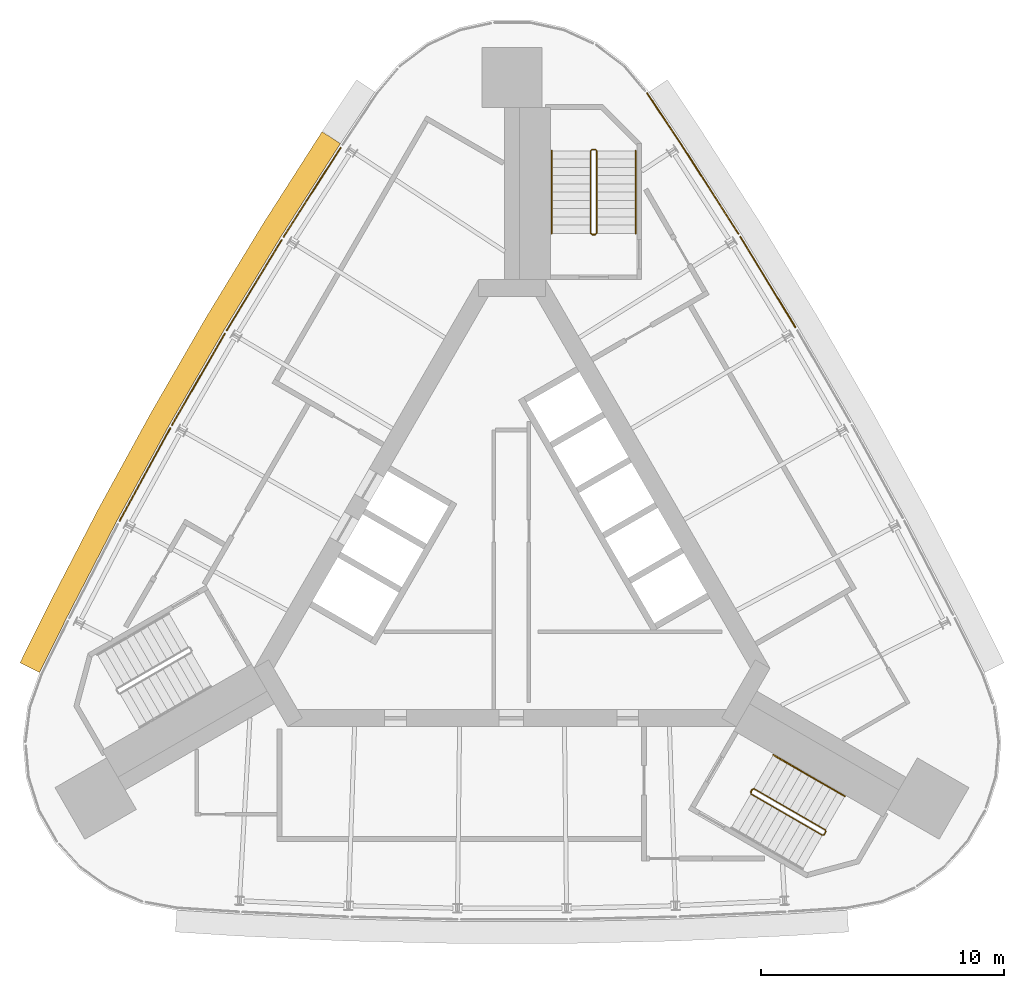
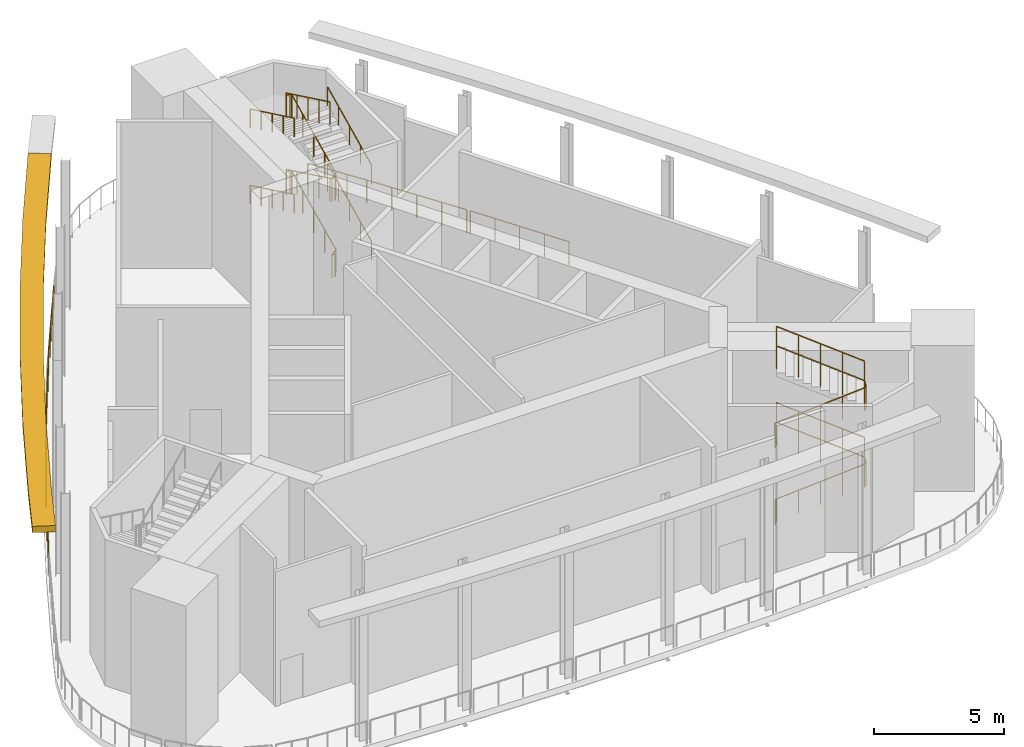
# One storey, part 6 of 7: 14 railings, 1 shading device.
"""IFC4 building model written with IfcOpenShell, lengths in metres."""

from ifc_helpers import new_model, si_unit, direction, frame, origin, origin_2d, place, context, subcontext, project, spatial, polyline, circle, outline, extrude, material, type_object, element, save


model = new_model("IFC4")

# Units and contexts
model_context = context("Model", 3, precision=1e-05, world=origin(), true_north=direction((0.0, 1.0)))
body_context = subcontext(model_context, "Body", "Model", "MODEL_VIEW")
ifc_project = project(units=[si_unit("LENGTHUNIT", "METRE"), si_unit("AREAUNIT", "SQUARE_METRE"), si_unit("VOLUMEUNIT", "CUBIC_METRE"), si_unit("PLANEANGLEUNIT", "RADIAN"), si_unit("MASSUNIT", "GRAM", prefix="KILO")], contexts=[model_context])

# Site, building, storey
site_placement = place(None, origin())
site = spatial("IfcSite", under=ifc_project, at=site_placement, CompositionType="ELEMENT")
building_placement = place(site_placement, origin())
building = spatial("IfcBuilding", under=site, at=building_placement, Name="Noor Cloister Tower", CompositionType="ELEMENT")
storey_placement = place(building_placement, frame((0.0, 0.0, 250.800048828125)))
storey = spatial("IfcBuildingStorey", under=building, at=storey_placement, Name="L65", CompositionType="ELEMENT", Elevation=250.800048828125)

# Shading device
ifc_material_1 = material(Name="Limestone", Category="masonry")
shading_device_type = type_object("IfcShadingDeviceType", Name="SUNSHADE limestone band 900", PredefinedType="USERDEFINED", material=ifc_material_1)
shading_device_placement = place(storey_placement, frame((0.0, 0.0, 6.89990234375)))
element("IfcShadingDevice", 1, at=shading_device_placement, inside=storey, type_object=shading_device_type, Name="SUNSHADE L65 1", ObjectType="SUNSHADE", PredefinedType="USERDEFINED", context=body_context, shape_type="SweptSolid", body=[
    extrude(outline(polyline([(-7.815185546875, 17.54296875), (-10.246826171875, 13.744384765625), (-12.596435546875, 9.88232421875), (-14.856689453125, 5.967529296875), (-17.026611328125, 2.001953125), (-19.10400390625, -2.010498046875), (-20.2392578125, -4.30322265625), (-19.4326171875, -4.702392578125), (-18.301025390625, -2.417236328125), (-16.232177734375, 1.578857421875), (-14.072021484375, 5.5263671875), (-11.822021484375, 9.423583984375), (-9.4833984375, 13.267822265625), (-7.05712890625, 17.0576171875), (-7.815185546875, 17.54296875)])), origin(), (0.0, 0.0, 1.0), 0.300048828125),
])

# Railings
ifc_material_2 = material(Name="Stainless steel", Category="steel")
railing_type_1 = type_object("IfcRailingType", Name="Stair guard 1100", PredefinedType="GUARDRAIL", material=ifc_material_2)
railing_1_placement = place(storey_placement, frame((3.435546875, 13.306396484375, 0.0)))
element("IfcRailing", 2, at=railing_1_placement, inside=storey, type_object=railing_type_1, Name="Stair guard ST1 L65", PredefinedType="GUARDRAIL", context=body_context, shape_type="SweptSolid", body=[
    extrude(circle(Radius=0.02392578125, at=origin_2d()), frame((0.0, 0.0, 1.076171875), z_axis=(-1.0, 0.0, 0.0), x_axis=(0.0, -1.0, 0.0)), (0.0, 0.0, 1.0), 0.14990234375),
    extrude(circle(Radius=0.02392578125, at=origin_2d()), frame((-0.14990234375, 0.0, 1.076171875), z_axis=(0.759870394187, 0.190199549216, 0.621627795), x_axis=(-0.242814311512, 0.970072785993, 0.0)), (0.0, 0.0, 1.0), 0.26318359375),
    extrude(circle(Radius=0.02392578125, at=origin_2d()), frame((0.050048828125, 0.050048828125, 1.23974609375), z_axis=(0.0, 0.901055053782, 0.433704726806), x_axis=(-1.0, 0.0, 0.0)), (0.0, 0.0, 1.0), 3.773193359375),
    extrude(circle(Radius=0.02392578125, at=origin_2d()), frame((0.050048828125, 3.449951171875, 2.8759765625), z_axis=(-0.707106781187, 0.707106781187, 0.0), x_axis=(-0.707106781187, -0.707106781187, 0.0)), (0.0, 0.0, 1.0), 0.07080078125),
    extrude(circle(Radius=0.02392578125, at=origin_2d()), frame((0.0, 3.5, 2.8759765625), z_axis=(-1.0, 0.0, 0.0), x_axis=(0.0, -1.0, 0.0)), (0.0, 0.0, 1.0), 0.14990234375),
    extrude(circle(Radius=0.02392578125, at=origin_2d()), frame((-0.14990234375, 3.5, 2.8759765625), z_axis=(-0.280808744504, -0.280808744504, 0.917765164963), x_axis=(0.707106781187, -0.707106781187, 0.0)), (0.0, 0.0, 1.0), 0.17822265625),
    extrude(circle(Radius=0.02392578125, at=origin_2d()), frame((-0.199951171875, 3.449951171875, 3.03955078125), z_axis=(0.0, -0.901080338394, 0.433652192153), x_axis=(1.0, 0.0, 0.0)), (0.0, 0.0, 1.0), 3.773193359375),
    extrude(circle(Radius=0.02392578125, at=origin_2d()), frame((-0.199951171875, 0.050048828125, 4.67578125), z_axis=(0.970072785993, -0.242814311512, 0.0), x_axis=(0.242814311512, 0.970072785993, 0.0)), (0.0, 0.0, 1.0), 0.2060546875),
    extrude(circle(Radius=0.02392578125, at=origin_2d()), frame((0.0, 0.0, 4.67578125), z_axis=(-1.0, 0.0, 0.0), x_axis=(0.0, -1.0, 0.0)), (0.0, 0.0, 1.0), 0.14990234375),
    extrude(circle(Radius=0.02392578125, at=origin_2d()), frame((-0.14990234375, 0.0, 4.67578125), z_axis=(0.759432192796, 0.190089865108, 0.622196582865), x_axis=(-0.242814311512, 0.970072785993, 0.0)), (0.0, 0.0, 1.0), 0.26318359375),
    extrude(circle(Radius=0.02392578125, at=origin_2d()), frame((0.050048828125, 0.050048828125, 4.83984375), z_axis=(0.0, 0.901080338394, 0.433652192153), x_axis=(-1.0, 0.0, 0.0)), (0.0, 0.0, 1.0), 3.773193359375),
    extrude(circle(Radius=0.02392578125, at=origin_2d()), frame((0.050048828125, 3.449951171875, 6.47607421875), z_axis=(-0.707106781187, 0.707106781187, 0.0), x_axis=(-0.707106781187, -0.707106781187, 0.0)), (0.0, 0.0, 1.0), 0.07080078125),
    extrude(circle(Radius=0.02392578125, at=origin_2d()), frame((0.0, 3.5, 6.47607421875), z_axis=(-1.0, 0.0, 0.0), x_axis=(0.0, -1.0, 0.0)), (0.0, 0.0, 1.0), 0.14990234375),
    extrude(circle(Radius=0.02392578125, at=origin_2d()), frame((-0.14990234375, 3.5, 6.47607421875), z_axis=(-0.280808744504, -0.280808744504, 0.917765164963), x_axis=(0.707106781187, -0.707106781187, 0.0)), (0.0, 0.0, 1.0), 0.17822265625),
    extrude(circle(Radius=0.02392578125, at=origin_2d()), frame((-0.199951171875, 3.449951171875, 6.6396484375), z_axis=(0.0, -0.901055053782, 0.433704726806), x_axis=(1.0, 0.0, 0.0)), (0.0, 0.0, 1.0), 3.773193359375),
    extrude(circle(Radius=0.02099609375, at=origin_2d()), origin(), (0.0, 0.0, 1.0), 1.052001953125),
    extrude(circle(Radius=0.02099609375, at=origin_2d()), frame((-0.14990234375, 0.0, 0.0)), (0.0, 0.0, 1.0), 1.052001953125),
    extrude(circle(Radius=0.02099609375, at=origin_2d()), frame((0.050048828125, 0.050048828125, 0.16357421875)), (0.0, 0.0, 1.0), 1.052001953125),
    extrude(circle(Radius=0.02099609375, at=origin_2d()), frame((0.050048828125, 0.89990234375, 0.57275390625)), (0.0, 0.0, 1.0), 1.052001953125),
    extrude(circle(Radius=0.02099609375, at=origin_2d()), frame((0.050048828125, 1.75, 0.98193359375)), (0.0, 0.0, 1.0), 1.052001953125),
    extrude(circle(Radius=0.02099609375, at=origin_2d()), frame((0.050048828125, 2.60009765625, 1.390869140625)), (0.0, 0.0, 1.0), 1.052001953125),
    extrude(circle(Radius=0.02099609375, at=origin_2d()), frame((0.050048828125, 3.449951171875, 1.800048828125)), (0.0, 0.0, 1.0), 1.052001953125),
    extrude(circle(Radius=0.02099609375, at=origin_2d()), frame((0.0, 3.5, 1.800048828125)), (0.0, 0.0, 1.0), 1.052001953125),
    extrude(circle(Radius=0.02099609375, at=origin_2d()), frame((-0.14990234375, 3.5, 1.800048828125)), (0.0, 0.0, 1.0), 1.052001953125),
    extrude(circle(Radius=0.02099609375, at=origin_2d()), frame((-0.199951171875, 3.449951171875, 1.963623046875)), (0.0, 0.0, 1.0), 1.052001953125),
    extrude(circle(Radius=0.02099609375, at=origin_2d()), frame((-0.199951171875, 2.60009765625, 2.37255859375)), (0.0, 0.0, 1.0), 1.052001953125),
    extrude(circle(Radius=0.02099609375, at=origin_2d()), frame((-0.199951171875, 1.75, 2.78173828125)), (0.0, 0.0, 1.0), 1.052001953125),
    extrude(circle(Radius=0.02099609375, at=origin_2d()), frame((-0.199951171875, 0.89990234375, 3.19091796875)), (0.0, 0.0, 1.0), 1.052001953125),
    extrude(circle(Radius=0.02099609375, at=origin_2d()), frame((-0.199951171875, 0.050048828125, 3.599853515625)), (0.0, 0.0, 1.0), 1.052001953125),
    extrude(circle(Radius=0.02099609375, at=origin_2d()), frame((0.0, 0.0, 3.599853515625)), (0.0, 0.0, 1.0), 1.052001953125),
    extrude(circle(Radius=0.02099609375, at=origin_2d()), frame((-0.14990234375, 0.0, 3.599853515625)), (0.0, 0.0, 1.0), 1.052001953125),
    extrude(circle(Radius=0.02099609375, at=origin_2d()), frame((0.050048828125, 0.050048828125, 3.763671875)), (0.0, 0.0, 1.0), 1.052001953125),
    extrude(circle(Radius=0.02099609375, at=origin_2d()), frame((0.050048828125, 0.89990234375, 4.1728515625)), (0.0, 0.0, 1.0), 1.052001953125),
    extrude(circle(Radius=0.02099609375, at=origin_2d()), frame((0.050048828125, 1.75, 4.581787109375)), (0.0, 0.0, 1.0), 1.052001953125),
    extrude(circle(Radius=0.02099609375, at=origin_2d()), frame((0.050048828125, 2.60009765625, 4.99072265625)), (0.0, 0.0, 1.0), 1.052001953125),
    extrude(circle(Radius=0.02099609375, at=origin_2d()), frame((0.050048828125, 3.449951171875, 5.39990234375)), (0.0, 0.0, 1.0), 1.052001953125),
    extrude(circle(Radius=0.02099609375, at=origin_2d()), frame((0.0, 3.5, 5.39990234375)), (0.0, 0.0, 1.0), 1.052001953125),
    extrude(circle(Radius=0.02099609375, at=origin_2d()), frame((-0.14990234375, 3.5, 5.39990234375)), (0.0, 0.0, 1.0), 1.052001953125),
    extrude(circle(Radius=0.02099609375, at=origin_2d()), frame((-0.199951171875, 3.449951171875, 5.5634765625)), (0.0, 0.0, 1.0), 1.052001953125),
    extrude(circle(Radius=0.02099609375, at=origin_2d()), frame((-0.199951171875, 2.60009765625, 5.97265625)), (0.0, 0.0, 1.0), 1.052001953125),
    extrude(circle(Radius=0.02099609375, at=origin_2d()), frame((-0.199951171875, 1.75, 6.3818359375)), (0.0, 0.0, 1.0), 1.052001953125),
    extrude(circle(Radius=0.02099609375, at=origin_2d()), frame((-0.199951171875, 0.89990234375, 6.790771484375)), (0.0, 0.0, 1.0), 1.052001953125),
    extrude(circle(Radius=0.02099609375, at=origin_2d()), frame((-0.199951171875, 0.050048828125, 7.199951171875)), (0.0, 0.0, 1.0), 1.052001953125),
])
railing_2_placement = place(storey_placement, frame((9.805908203125, -9.628662109375, 0.0)))
element("IfcRailing", 3, at=railing_2_placement, inside=storey, type_object=railing_type_1, Name="Stair guard ST3 L65", PredefinedType="GUARDRAIL", context=body_context, shape_type="SweptSolid", body=[
    extrude(circle(Radius=0.02392578125, at=origin_2d()), frame((0.0, 0.0, 1.076171875), z_axis=(0.499112439033, 0.866537231285, 0.0), x_axis=(-0.866537231285, 0.499112439033, 0.0)), (0.0, 0.0, 1.0), 0.150146484375),
    extrude(circle(Radius=0.02392578125, at=origin_2d()), frame((0.074951171875, 0.130126953125, 1.076171875), z_axis=(-0.215214839654, -0.753251938789, 0.621525614518), x_axis=(0.961523947641, -0.274721127897, 0.0)), (0.0, 0.0, 1.0), 0.26318359375),
    extrude(circle(Radius=0.02392578125, at=origin_2d()), frame((0.018310546875, -0.068115234375, 1.23974609375), z_axis=(0.7803069921, -0.450585231591, 0.433697990717), x_axis=(0.500062241894, 0.865989465428, 0.0)), (0.0, 0.0, 1.0), 3.773193359375),
    extrude(circle(Radius=0.02392578125, at=origin_2d()), frame((2.962646484375, -1.768310546875, 2.8759765625), z_axis=(0.965948051503, 0.258736085224, 0.0), x_axis=(-0.258736085224, 0.965948051503, 0.0)), (0.0, 0.0, 1.0), 0.07080078125),
    extrude(circle(Radius=0.02392578125, at=origin_2d()), frame((3.031005859375, -1.75, 2.8759765625), z_axis=(0.499112439033, 0.866537231285, 0.0), x_axis=(-0.866537231285, 0.499112439033, 0.0)), (0.0, 0.0, 1.0), 0.150146484375),
    extrude(circle(Radius=0.02392578125, at=origin_2d()), frame((3.10595703125, -1.619873046875, 2.8759765625), z_axis=(-0.102791240646, 0.382383415203, 0.918268416436), x_axis=(-0.965715946433, -0.259601060869, 0.0)), (0.0, 0.0, 1.0), 0.17822265625),
    extrude(circle(Radius=0.02392578125, at=origin_2d()), frame((3.087646484375, -1.5517578125, 3.03955078125), z_axis=(-0.780351637896, 0.450546306357, 0.433658099268), x_axis=(-0.500008388397, -0.866020560687, 0.0)), (0.0, 0.0, 1.0), 3.773193359375),
    extrude(circle(Radius=0.02392578125, at=origin_2d()), frame((0.143310546875, 0.148193359375, 4.67578125), z_axis=(-0.695164929852, -0.718850276695, 0.0), x_axis=(0.718850276695, -0.695164929852, 0.0)), (0.0, 0.0, 1.0), 0.2060546875),
    extrude(circle(Radius=0.02392578125, at=origin_2d()), frame((0.0, 0.0, 4.67578125), z_axis=(0.499112439033, 0.866537231285, 0.0), x_axis=(-0.866537231285, 0.499112439033, 0.0)), (0.0, 0.0, 1.0), 0.150146484375),
    extrude(circle(Radius=0.02392578125, at=origin_2d()), frame((0.074951171875, 0.130126953125, 4.67578125), z_axis=(-0.215090770512, -0.752817696793, 0.622094426784), x_axis=(0.961523947641, -0.274721127897, 0.0)), (0.0, 0.0, 1.0), 0.263427734375),
    extrude(circle(Radius=0.02392578125, at=origin_2d()), frame((0.018310546875, -0.068115234375, 4.83984375), z_axis=(0.780328887707, -0.450597875124, 0.433645456502), x_axis=(0.500062241894, 0.865989465428, 0.0)), (0.0, 0.0, 1.0), 3.773193359375),
    extrude(circle(Radius=0.02392578125, at=origin_2d()), frame((2.962646484375, -1.768310546875, 6.47607421875), z_axis=(0.965948051503, 0.258736085224, 0.0), x_axis=(-0.258736085224, 0.965948051503, 0.0)), (0.0, 0.0, 1.0), 0.07080078125),
    extrude(circle(Radius=0.02392578125, at=origin_2d()), frame((3.031005859375, -1.75, 6.47607421875), z_axis=(0.499112439033, 0.866537231285, 0.0), x_axis=(-0.866537231285, 0.499112439033, 0.0)), (0.0, 0.0, 1.0), 0.150146484375),
    extrude(circle(Radius=0.02392578125, at=origin_2d()), frame((3.10595703125, -1.619873046875, 6.47607421875), z_axis=(-0.102791240646, 0.382383415203, 0.918268416436), x_axis=(-0.965715946433, -0.259601060869, 0.0)), (0.0, 0.0, 1.0), 0.17822265625),
    extrude(circle(Radius=0.02392578125, at=origin_2d()), frame((3.087646484375, -1.5517578125, 6.6396484375), z_axis=(-0.780329740374, 0.450533663534, 0.433710634306), x_axis=(-0.500008388397, -0.866020560687, 0.0)), (0.0, 0.0, 1.0), 3.773193359375),
    extrude(circle(Radius=0.02099609375, at=origin_2d()), origin(), (0.0, 0.0, 1.0), 1.052001953125),
    extrude(circle(Radius=0.02099609375, at=origin_2d()), frame((0.074951171875, 0.130126953125, 0.0)), (0.0, 0.0, 1.0), 1.052001953125),
    extrude(circle(Radius=0.02099609375, at=origin_2d()), frame((0.018310546875, -0.068115234375, 0.16357421875)), (0.0, 0.0, 1.0), 1.052001953125),
    extrude(circle(Radius=0.02099609375, at=origin_2d()), frame((0.75439453125, -0.4931640625, 0.57275390625)), (0.0, 0.0, 1.0), 1.052001953125),
    extrude(circle(Radius=0.02099609375, at=origin_2d()), frame((1.490478515625, -0.918212890625, 0.98193359375)), (0.0, 0.0, 1.0), 1.052001953125),
    extrude(circle(Radius=0.02099609375, at=origin_2d()), frame((2.2265625, -1.34326171875, 1.390869140625)), (0.0, 0.0, 1.0), 1.052001953125),
    extrude(circle(Radius=0.02099609375, at=origin_2d()), frame((2.962646484375, -1.768310546875, 1.800048828125)), (0.0, 0.0, 1.0), 1.052001953125),
    extrude(circle(Radius=0.02099609375, at=origin_2d()), frame((3.031005859375, -1.75, 1.800048828125)), (0.0, 0.0, 1.0), 1.052001953125),
    extrude(circle(Radius=0.02099609375, at=origin_2d()), frame((3.10595703125, -1.619873046875, 1.800048828125)), (0.0, 0.0, 1.0), 1.052001953125),
    extrude(circle(Radius=0.02099609375, at=origin_2d()), frame((3.087646484375, -1.5517578125, 1.963623046875)), (0.0, 0.0, 1.0), 1.052001953125),
    extrude(circle(Radius=0.02099609375, at=origin_2d()), frame((2.3515625, -1.126708984375, 2.37255859375)), (0.0, 0.0, 1.0), 1.052001953125),
    extrude(circle(Radius=0.02099609375, at=origin_2d()), frame((1.615478515625, -0.70166015625, 2.78173828125)), (0.0, 0.0, 1.0), 1.052001953125),
    extrude(circle(Radius=0.02099609375, at=origin_2d()), frame((0.87939453125, -0.27685546875, 3.19091796875)), (0.0, 0.0, 1.0), 1.052001953125),
    extrude(circle(Radius=0.02099609375, at=origin_2d()), frame((0.143310546875, 0.148193359375, 3.599853515625)), (0.0, 0.0, 1.0), 1.052001953125),
    extrude(circle(Radius=0.02099609375, at=origin_2d()), frame((0.0, 0.0, 3.599853515625)), (0.0, 0.0, 1.0), 1.052001953125),
    extrude(circle(Radius=0.02099609375, at=origin_2d()), frame((0.074951171875, 0.130126953125, 3.599853515625)), (0.0, 0.0, 1.0), 1.052001953125),
    extrude(circle(Radius=0.02099609375, at=origin_2d()), frame((0.018310546875, -0.068115234375, 3.763671875)), (0.0, 0.0, 1.0), 1.052001953125),
    extrude(circle(Radius=0.02099609375, at=origin_2d()), frame((0.75439453125, -0.4931640625, 4.1728515625)), (0.0, 0.0, 1.0), 1.052001953125),
    extrude(circle(Radius=0.02099609375, at=origin_2d()), frame((1.490478515625, -0.918212890625, 4.581787109375)), (0.0, 0.0, 1.0), 1.052001953125),
    extrude(circle(Radius=0.02099609375, at=origin_2d()), frame((2.2265625, -1.34326171875, 4.99072265625)), (0.0, 0.0, 1.0), 1.052001953125),
    extrude(circle(Radius=0.02099609375, at=origin_2d()), frame((2.962646484375, -1.768310546875, 5.39990234375)), (0.0, 0.0, 1.0), 1.052001953125),
    extrude(circle(Radius=0.02099609375, at=origin_2d()), frame((3.031005859375, -1.75, 5.39990234375)), (0.0, 0.0, 1.0), 1.052001953125),
    extrude(circle(Radius=0.02099609375, at=origin_2d()), frame((3.10595703125, -1.619873046875, 5.39990234375)), (0.0, 0.0, 1.0), 1.052001953125),
    extrude(circle(Radius=0.02099609375, at=origin_2d()), frame((3.087646484375, -1.5517578125, 5.5634765625)), (0.0, 0.0, 1.0), 1.052001953125),
    extrude(circle(Radius=0.02099609375, at=origin_2d()), frame((2.3515625, -1.126708984375, 5.97265625)), (0.0, 0.0, 1.0), 1.052001953125),
    extrude(circle(Radius=0.02099609375, at=origin_2d()), frame((1.615478515625, -0.70166015625, 6.3818359375)), (0.0, 0.0, 1.0), 1.052001953125),
    extrude(circle(Radius=0.02099609375, at=origin_2d()), frame((0.87939453125, -0.27685546875, 6.790771484375)), (0.0, 0.0, 1.0), 1.052001953125),
    extrude(circle(Radius=0.02099609375, at=origin_2d()), frame((0.143310546875, 0.148193359375, 7.199951171875)), (0.0, 0.0, 1.0), 1.052001953125),
])
ifc_material_3 = material(Name="Stainless steel", Category="steel")
railing_type_2 = type_object("IfcRailingType", Name="Stair handrail 900", PredefinedType="HANDRAIL", material=ifc_material_3)
railing_3_placement = place(storey_placement, frame((5.085693359375, 13.3564453125, 0.16357421875)))
element("IfcRailing", 4, at=railing_3_placement, inside=storey, type_object=railing_type_2, Name="Stair handrail ST1 L65 1", PredefinedType="HANDRAIL", context=body_context, shape_type="SweptSolid", body=[
    extrude(circle(Radius=0.02392578125, at=origin_2d()), frame((0.0, 0.0, 0.8759765625), z_axis=(0.0, 0.901055053782, 0.433704726806), x_axis=(-1.0, 0.0, 0.0)), (0.0, 0.0, 1.0), 3.773193359375),
    extrude(circle(Radius=0.02099609375, at=origin_2d()), origin(), (0.0, 0.0, 1.0), 0.851806640625),
    extrude(circle(Radius=0.02099609375, at=origin_2d()), frame((0.0, 0.85009765625, 0.4091796875)), (0.0, 0.0, 1.0), 0.851806640625),
    extrude(circle(Radius=0.02099609375, at=origin_2d()), frame((0.0, 1.699951171875, 0.818359375)), (0.0, 0.0, 1.0), 0.851806640625),
    extrude(circle(Radius=0.02099609375, at=origin_2d()), frame((0.0, 2.5498046875, 1.227294921875)), (0.0, 0.0, 1.0), 0.851806640625),
    extrude(circle(Radius=0.02099609375, at=origin_2d()), frame((0.0, 3.39990234375, 1.636474609375)), (0.0, 0.0, 1.0), 0.851806640625),
])
railing_4_placement = place(storey_placement, frame((1.6357421875, 16.75634765625, 1.963623046875)))
element("IfcRailing", 5, at=railing_4_placement, inside=storey, type_object=railing_type_2, Name="Stair handrail ST1 L65 2", PredefinedType="HANDRAIL", context=body_context, shape_type="SweptSolid", body=[
    extrude(circle(Radius=0.02392578125, at=origin_2d()), frame((0.0, 0.0, 0.8759765625), z_axis=(0.0, -0.901080338394, 0.433652192153), x_axis=(1.0, 0.0, 0.0)), (0.0, 0.0, 1.0), 3.773193359375),
    extrude(circle(Radius=0.02099609375, at=origin_2d()), origin(), (0.0, 0.0, 1.0), 0.851806640625),
    extrude(circle(Radius=0.02099609375, at=origin_2d()), frame((0.0, -0.85009765625, 0.4091796875)), (0.0, 0.0, 1.0), 0.851806640625),
    extrude(circle(Radius=0.02099609375, at=origin_2d()), frame((0.0, -1.699951171875, 0.818115234375)), (0.0, 0.0, 1.0), 0.851806640625),
    extrude(circle(Radius=0.02099609375, at=origin_2d()), frame((0.0, -2.5498046875, 1.22705078125)), (0.0, 0.0, 1.0), 0.851806640625),
    extrude(circle(Radius=0.02099609375, at=origin_2d()), frame((0.0, -3.39990234375, 1.63623046875)), (0.0, 0.0, 1.0), 0.851806640625),
])
railing_5_placement = place(storey_placement, frame((5.085693359375, 13.3564453125, 3.763671875)))
element("IfcRailing", 6, at=railing_5_placement, inside=storey, type_object=railing_type_2, Name="Stair handrail ST1 L65 3", PredefinedType="HANDRAIL", context=body_context, shape_type="SweptSolid", body=[
    extrude(circle(Radius=0.02392578125, at=origin_2d()), frame((0.0, 0.0, 0.8759765625), z_axis=(0.0, 0.901080338394, 0.433652192153), x_axis=(-1.0, 0.0, 0.0)), (0.0, 0.0, 1.0), 3.773193359375),
    extrude(circle(Radius=0.02099609375, at=origin_2d()), origin(), (0.0, 0.0, 1.0), 0.851806640625),
    extrude(circle(Radius=0.02099609375, at=origin_2d()), frame((0.0, 0.85009765625, 0.4091796875)), (0.0, 0.0, 1.0), 0.851806640625),
    extrude(circle(Radius=0.02099609375, at=origin_2d()), frame((0.0, 1.699951171875, 0.818115234375)), (0.0, 0.0, 1.0), 0.851806640625),
    extrude(circle(Radius=0.02099609375, at=origin_2d()), frame((0.0, 2.5498046875, 1.22705078125)), (0.0, 0.0, 1.0), 0.851806640625),
    extrude(circle(Radius=0.02099609375, at=origin_2d()), frame((0.0, 3.39990234375, 1.63623046875)), (0.0, 0.0, 1.0), 0.851806640625),
])
railing_6_placement = place(storey_placement, frame((1.6357421875, 16.75634765625, 5.5634765625)))
element("IfcRailing", 7, at=railing_6_placement, inside=storey, type_object=railing_type_2, Name="Stair handrail ST1 L65 4", PredefinedType="HANDRAIL", context=body_context, shape_type="SweptSolid", body=[
    extrude(circle(Radius=0.02392578125, at=origin_2d()), frame((0.0, 0.0, 0.8759765625), z_axis=(0.0, -0.901055053782, 0.433704726806), x_axis=(1.0, 0.0, 0.0)), (0.0, 0.0, 1.0), 3.773193359375),
    extrude(circle(Radius=0.02099609375, at=origin_2d()), origin(), (0.0, 0.0, 1.0), 0.851806640625),
    extrude(circle(Radius=0.02099609375, at=origin_2d()), frame((0.0, -0.85009765625, 0.4091796875)), (0.0, 0.0, 1.0), 0.851806640625),
    extrude(circle(Radius=0.02099609375, at=origin_2d()), frame((0.0, -1.699951171875, 0.818359375)), (0.0, 0.0, 1.0), 0.851806640625),
    extrude(circle(Radius=0.02099609375, at=origin_2d()), frame((0.0, -2.5498046875, 1.227294921875)), (0.0, 0.0, 1.0), 0.851806640625),
    extrude(circle(Radius=0.02099609375, at=origin_2d()), frame((0.0, -3.39990234375, 1.636474609375)), (0.0, 0.0, 1.0), 0.851806640625),
])
railing_7_placement = place(storey_placement, frame((13.693603515625, -9.794677734375, 1.963623046875)))
element("IfcRailing", 8, at=railing_7_placement, inside=storey, type_object=railing_type_2, Name="Stair handrail ST3 L65 2", PredefinedType="HANDRAIL", context=body_context, shape_type="SweptSolid", body=[
    extrude(circle(Radius=0.02392578125, at=origin_2d()), frame((0.0, 0.0, 0.8759765625), z_axis=(-0.780351637896, 0.450546306357, 0.433658099268), x_axis=(-0.500008388397, -0.866020560687, 0.0)), (0.0, 0.0, 1.0), 3.773193359375),
    extrude(circle(Radius=0.02099609375, at=origin_2d()), origin(), (0.0, 0.0, 1.0), 0.851806640625),
    extrude(circle(Radius=0.02099609375, at=origin_2d()), frame((-0.736083984375, 0.425048828125, 0.4091796875)), (0.0, 0.0, 1.0), 0.851806640625),
    extrude(circle(Radius=0.02099609375, at=origin_2d()), frame((-1.47216796875, 0.85009765625, 0.818115234375)), (0.0, 0.0, 1.0), 0.851806640625),
    extrude(circle(Radius=0.02099609375, at=origin_2d()), frame((-2.208251953125, 1.27490234375, 1.22705078125)), (0.0, 0.0, 1.0), 0.851806640625),
    extrude(circle(Radius=0.02099609375, at=origin_2d()), frame((-2.9443359375, 1.699951171875, 1.63623046875)), (0.0, 0.0, 1.0), 0.851806640625),
])
railing_8_placement = place(storey_placement, frame((13.693603515625, -9.794677734375, 5.5634765625)))
element("IfcRailing", 9, at=railing_8_placement, inside=storey, type_object=railing_type_2, Name="Stair handrail ST3 L65 4", PredefinedType="HANDRAIL", context=body_context, shape_type="SweptSolid", body=[
    extrude(circle(Radius=0.02392578125, at=origin_2d()), frame((0.0, 0.0, 0.8759765625), z_axis=(-0.780329740374, 0.450533663534, 0.433710634306), x_axis=(-0.500008388397, -0.866020560687, 0.0)), (0.0, 0.0, 1.0), 3.773193359375),
    extrude(circle(Radius=0.02099609375, at=origin_2d()), origin(), (0.0, 0.0, 1.0), 0.851806640625),
    extrude(circle(Radius=0.02099609375, at=origin_2d()), frame((-0.736083984375, 0.425048828125, 0.4091796875)), (0.0, 0.0, 1.0), 0.851806640625),
    extrude(circle(Radius=0.02099609375, at=origin_2d()), frame((-1.47216796875, 0.85009765625, 0.818359375)), (0.0, 0.0, 1.0), 0.851806640625),
    extrude(circle(Radius=0.02099609375, at=origin_2d()), frame((-2.208251953125, 1.27490234375, 1.227294921875)), (0.0, 0.0, 1.0), 0.851806640625),
    extrude(circle(Radius=0.02099609375, at=origin_2d()), frame((-2.9443359375, 1.699951171875, 1.636474609375)), (0.0, 0.0, 1.0), 0.851806640625),
])
ifc_material_4 = material(Name="Stainless steel grade 316", Category="steel")
railing_type_3 = type_object("IfcRailingType", Name="Wind floor guard 1100", PredefinedType="GUARDRAIL", material=ifc_material_4)
railing_9_placement = place(storey_placement, frame((5.563720703125, 19.1201171875, 0.0)))
element("IfcRailing", 10, at=railing_9_placement, inside=storey, type_object=railing_type_3, Name="Wind floor guard L65 1", PredefinedType="GUARDRAIL", context=body_context, shape_type="SweptSolid", body=[
    extrude(circle(Radius=0.02392578125, at=origin_2d()), frame((0.0, 0.0, 1.076171875), z_axis=(0.554257078174, -0.832345535997, 0.0), x_axis=(0.832345535997, 0.554257078174, 0.0)), (0.0, 0.0, 1.0), 2.54345703125),
    extrude(circle(Radius=0.02392578125, at=origin_2d()), frame((1.40966796875, -2.116943359375, 1.076171875), z_axis=(0.539158855248, -0.842204089759, 0.0), x_axis=(0.842204089759, 0.539158855248, 0.0)), (0.0, 0.0, 1.0), 4.347900390625),
    extrude(circle(Radius=0.02099609375, at=origin_2d()), origin(), (0.0, 0.0, 1.0), 1.052001953125),
    extrude(circle(Radius=0.02099609375, at=origin_2d()), frame((0.469970703125, -0.70556640625, 0.0)), (0.0, 0.0, 1.0), 1.052001953125),
    extrude(circle(Radius=0.02099609375, at=origin_2d()), frame((0.939697265625, -1.411376953125, 0.0)), (0.0, 0.0, 1.0), 1.052001953125),
    extrude(circle(Radius=0.02099609375, at=origin_2d()), frame((1.40966796875, -2.116943359375, 0.0)), (0.0, 0.0, 1.0), 1.052001953125),
    extrude(circle(Radius=0.02099609375, at=origin_2d()), frame((1.99560546875, -3.032470703125, 0.0)), (0.0, 0.0, 1.0), 1.052001953125),
    extrude(circle(Radius=0.02099609375, at=origin_2d()), frame((2.581787109375, -3.94775390625, 0.0)), (0.0, 0.0, 1.0), 1.052001953125),
    extrude(circle(Radius=0.02099609375, at=origin_2d()), frame((3.16796875, -4.86328125, 0.0)), (0.0, 0.0, 1.0), 1.052001953125),
    extrude(circle(Radius=0.02099609375, at=origin_2d()), frame((3.75390625, -5.77880859375, 0.0)), (0.0, 0.0, 1.0), 1.052001953125),
])
railing_10_placement = place(storey_placement, frame((9.3984375, 13.215087890625, 0.0)))
element("IfcRailing", 11, at=railing_10_placement, inside=storey, type_object=railing_type_3, Name="Wind floor guard L65 2", PredefinedType="GUARDRAIL", context=body_context, shape_type="SweptSolid", body=[
    extrude(circle(Radius=0.02392578125, at=origin_2d()), frame((0.0, 0.0, 1.076171875), z_axis=(0.519754541033, -0.854315642532, 0.0), x_axis=(0.854315642532, 0.519754541033, 0.0)), (0.0, 0.0, 1.0), 4.34765625),
    extrude(circle(Radius=0.02099609375, at=origin_2d()), origin(), (0.0, 0.0, 1.0), 1.052001953125),
    extrude(circle(Radius=0.02099609375, at=origin_2d()), frame((0.56494140625, -0.9287109375, 0.0)), (0.0, 0.0, 1.0), 1.052001953125),
    extrude(circle(Radius=0.02099609375, at=origin_2d()), frame((1.1298828125, -1.857177734375, 0.0)), (0.0, 0.0, 1.0), 1.052001953125),
    extrude(circle(Radius=0.02099609375, at=origin_2d()), frame((1.69482421875, -2.78564453125, 0.0)), (0.0, 0.0, 1.0), 1.052001953125),
    extrude(circle(Radius=0.02099609375, at=origin_2d()), frame((2.259765625, -3.71435546875, 0.0)), (0.0, 0.0, 1.0), 1.052001953125),
])
railing_11_placement = place(storey_placement, frame((-16.143798828125, 1.531982421875, 0.0)))
element("IfcRailing", 12, at=railing_11_placement, inside=storey, type_object=railing_type_3, Name="Wind floor guard L65 20", PredefinedType="GUARDRAIL", context=body_context, shape_type="SweptSolid", body=[
    extrude(circle(Radius=0.02392578125, at=origin_2d()), frame((0.0, 0.0, 1.076171875), z_axis=(0.480016307824, 0.877259564908, 0.0), x_axis=(-0.877259564908, 0.480016307824, 0.0)), (0.0, 0.0, 1.0), 4.34765625),
    extrude(circle(Radius=0.02099609375, at=origin_2d()), origin(), (0.0, 0.0, 1.0), 1.052001953125),
    extrude(circle(Radius=0.02099609375, at=origin_2d()), frame((0.521728515625, 0.95361328125, 0.0)), (0.0, 0.0, 1.0), 1.052001953125),
    extrude(circle(Radius=0.02099609375, at=origin_2d()), frame((1.04345703125, 1.906982421875, 0.0)), (0.0, 0.0, 1.0), 1.052001953125),
    extrude(circle(Radius=0.02099609375, at=origin_2d()), frame((1.565185546875, 2.8603515625, 0.0)), (0.0, 0.0, 1.0), 1.052001953125),
    extrude(circle(Radius=0.02099609375, at=origin_2d()), frame((2.0869140625, 3.81396484375, 0.0)), (0.0, 0.0, 1.0), 1.052001953125),
])
railing_12_placement = place(storey_placement, frame((-13.98486328125, 5.4775390625, 0.0)))
element("IfcRailing", 13, at=railing_12_placement, inside=storey, type_object=railing_type_3, Name="Wind floor guard L65 21", PredefinedType="GUARDRAIL", context=body_context, shape_type="SweptSolid", body=[
    extrude(circle(Radius=0.02392578125, at=origin_2d()), frame((0.0, 0.0, 1.076171875), z_axis=(0.500004386343, 0.866022871314, 0.0), x_axis=(-0.866022871314, 0.500004386343, 0.0)), (0.0, 0.0, 1.0), 4.34765625),
    extrude(circle(Radius=0.02099609375, at=origin_2d()), origin(), (0.0, 0.0, 1.0), 1.052001953125),
    extrude(circle(Radius=0.02099609375, at=origin_2d()), frame((0.54345703125, 0.94140625, 0.0)), (0.0, 0.0, 1.0), 1.052001953125),
    extrude(circle(Radius=0.02099609375, at=origin_2d()), frame((1.0869140625, 1.882568359375, 0.0)), (0.0, 0.0, 1.0), 1.052001953125),
    extrude(circle(Radius=0.02099609375, at=origin_2d()), frame((1.63037109375, 2.82373046875, 0.0)), (0.0, 0.0, 1.0), 1.052001953125),
    extrude(circle(Radius=0.02099609375, at=origin_2d()), frame((2.173828125, 3.76513671875, 0.0)), (0.0, 0.0, 1.0), 1.052001953125),
])
railing_13_placement = place(storey_placement, frame((-11.736083984375, 9.37255859375, 0.0)))
element("IfcRailing", 14, at=railing_13_placement, inside=storey, type_object=railing_type_3, Name="Wind floor guard L65 22", PredefinedType="GUARDRAIL", context=body_context, shape_type="SweptSolid", body=[
    extrude(circle(Radius=0.02392578125, at=origin_2d()), frame((0.0, 0.0, 1.076171875), z_axis=(0.519713555492, 0.854340576256, 0.0), x_axis=(-0.854340576256, 0.519713555492, 0.0)), (0.0, 0.0, 1.0), 4.34765625),
    extrude(circle(Radius=0.02099609375, at=origin_2d()), origin(), (0.0, 0.0, 1.0), 1.052001953125),
    extrude(circle(Radius=0.02099609375, at=origin_2d()), frame((0.56494140625, 0.9287109375, 0.0)), (0.0, 0.0, 1.0), 1.052001953125),
    extrude(circle(Radius=0.02099609375, at=origin_2d()), frame((1.1298828125, 1.857177734375, 0.0)), (0.0, 0.0, 1.0), 1.052001953125),
    extrude(circle(Radius=0.02099609375, at=origin_2d()), frame((1.694580078125, 2.78564453125, 0.0)), (0.0, 0.0, 1.0), 1.052001953125),
    extrude(circle(Radius=0.02099609375, at=origin_2d()), frame((2.259521484375, 3.71435546875, 0.0)), (0.0, 0.0, 1.0), 1.052001953125),
])
railing_14_placement = place(storey_placement, frame((-9.3984375, 13.215087890625, 0.0)))
element("IfcRailing", 15, at=railing_14_placement, inside=storey, type_object=railing_type_3, Name="Wind floor guard L65 23", PredefinedType="GUARDRAIL", context=body_context, shape_type="SweptSolid", body=[
    extrude(circle(Radius=0.02392578125, at=origin_2d()), frame((0.0, 0.0, 1.076171875), z_axis=(0.53918435321, 0.842187766032, 0.0), x_axis=(-0.842187766032, 0.53918435321, 0.0)), (0.0, 0.0, 1.0), 4.34765625),
    extrude(circle(Radius=0.02099609375, at=origin_2d()), origin(), (0.0, 0.0, 1.0), 1.052001953125),
    extrude(circle(Radius=0.02099609375, at=origin_2d()), frame((0.5859375, 0.91552734375, 0.0)), (0.0, 0.0, 1.0), 1.052001953125),
    extrude(circle(Radius=0.02099609375, at=origin_2d()), frame((1.172119140625, 1.830810546875, 0.0)), (0.0, 0.0, 1.0), 1.052001953125),
    extrude(circle(Radius=0.02099609375, at=origin_2d()), frame((1.75830078125, 2.74609375, 0.0)), (0.0, 0.0, 1.0), 1.052001953125),
    extrude(circle(Radius=0.02099609375, at=origin_2d()), frame((2.34423828125, 3.66162109375, 0.0)), (0.0, 0.0, 1.0), 1.052001953125),
])

save(model, "model.ifc")
